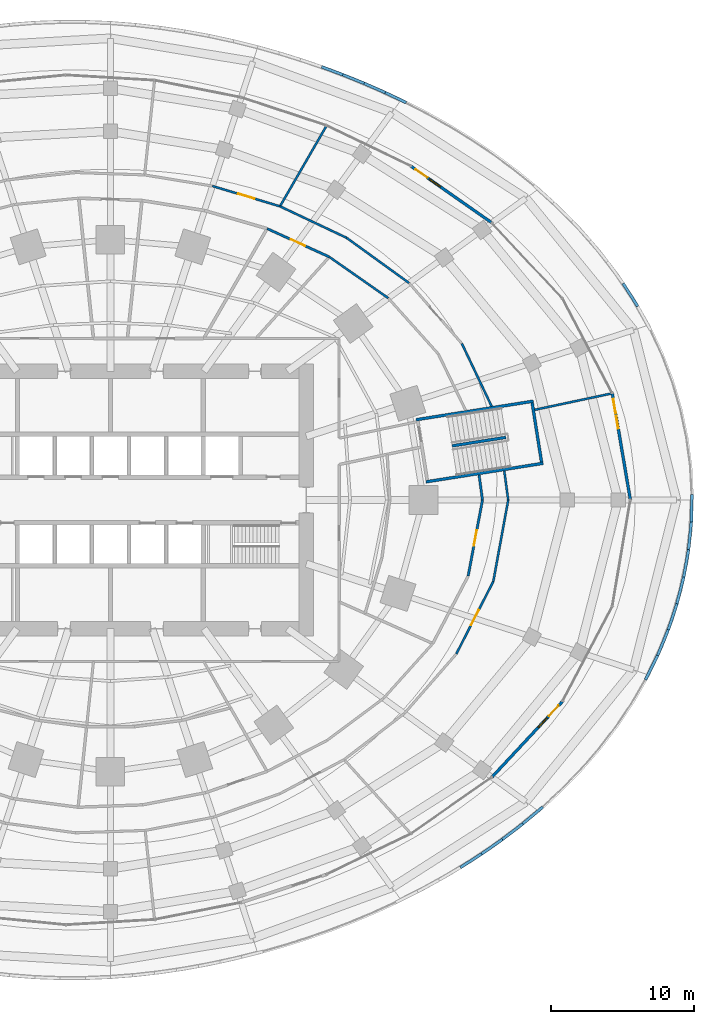
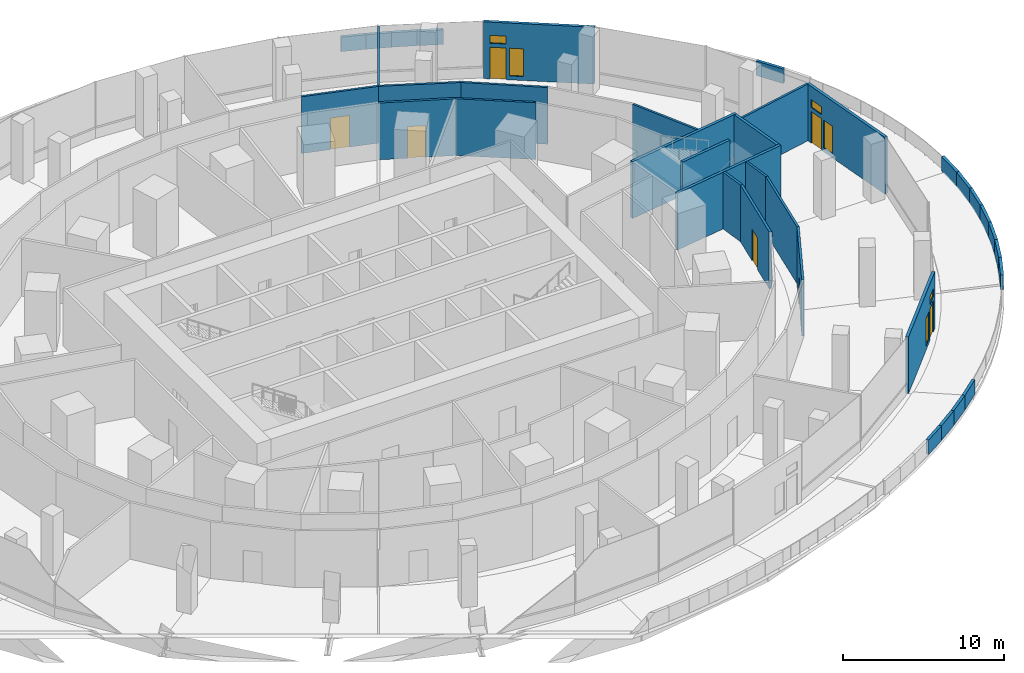
# One storey, part 23 of 27: 36 walls, 7 doors, 6 windows, 13 openings.
"""IFC4 building model written with IfcOpenShell, lengths in metres."""

from ifc_helpers import new_model, si_unit, direction, frame, frame_2d, origin, place, context, subcontext, project, spatial, rectangle, extrude, material, layer, layer_set, type_object, element, fill, save


model = new_model("IFC4")

# Units and contexts
model_context = context("Model", 3, precision=1e-05, world=origin(), true_north=direction((0.0, 1.0)))
body_context = subcontext(model_context, "Body", "Model", "MODEL_VIEW")
ifc_project = project(units=[si_unit("LENGTHUNIT", "METRE"), si_unit("AREAUNIT", "SQUARE_METRE"), si_unit("VOLUMEUNIT", "CUBIC_METRE"), si_unit("PLANEANGLEUNIT", "RADIAN"), si_unit("MASSUNIT", "GRAM", prefix="KILO")], contexts=[model_context])

# Site, building, storey
site_placement = place(None, origin())
site = spatial("IfcSite", under=ifc_project, at=site_placement, CompositionType="ELEMENT")
building_placement = place(site_placement, origin())
building = spatial("IfcBuilding", under=site, at=building_placement, Name="Marramba Exchange Tower", CompositionType="ELEMENT")
storey_placement = place(building_placement, frame((0.0, 0.0, 10.60009765625)))
storey = spatial("IfcBuildingStorey", under=building, at=storey_placement, Name="L02", CompositionType="ELEMENT", Elevation=10.60009765625)

# Wall, opening, door
ifc_material_1 = material(Name="Plasterboard on staggered double steel studs, acoustic insulation", Category="steel")
ifc_layer_1 = layer(ifc_material_1, 0.169921875)
ifc_layer_set_1 = layer_set([ifc_layer_1], Name="Acoustic partition 170")
wall_type_1 = type_object("IfcWallType", Name="Acoustic partition 170", PredefinedType="PARTITIONING", material=ifc_layer_set_1)
wall_1_placement = place(storey_placement, frame((26.02490234375, 0.0, 0.0), z_axis=(0.0, 0.0, 1.0), x_axis=(-0.185260746547, -0.982689399449, 0.0)))
wall_1 = element("IfcWall", 1, at=wall_1_placement, inside=storey, type_object=wall_type_1, Name="Acoustic partition L02 56", PredefinedType="PARTITIONING", context=body_context, shape_type="SweptSolid", body=[
    extrude(rectangle(XDim=5.412353515625, YDim=0.169921875, at=frame_2d((2.7060546875, 0.0))), origin(), (0.0, 0.0, 1.0), 4.2998046875),
])
opening_1_placement = place(wall_1_placement, frame((2.156005859375, 0.0, 0.0)))
opening_1 = element("IfcOpeningElement", 2, at=opening_1_placement, cuts=wall_1, Name="Opening D15", PredefinedType="OPENING", context=body_context, shape_type="SweptSolid", body=[
    extrude(rectangle(XDim=1.10009765625, YDim=2.39990234375, at=frame_2d((0.550048828125, 1.199951171875))), frame((0.0, 0.094970703125, 0.0), z_axis=(0.0, -1.0, 0.0), x_axis=(1.0, 0.0, 0.0)), (0.0, 0.0, 1.0), 0.18994140625),
])
ifc_material_2 = material(Name="Timber door", Category="wood")
door_type_1 = type_object("IfcDoorType", Name="Glazed meeting room door 1100x2400", OperationType="SINGLE_SWING_LEFT", PredefinedType="DOOR", material=ifc_material_2)
door_1_placement = place(opening_1_placement, origin())
door_1 = element("IfcDoor", 3, at=door_1_placement, inside=storey, type_object=door_type_1, Name="D15 Meeting Room 6 L02", OperationType="SINGLE_SWING_LEFT", OverallHeight=2.39990234375, OverallWidth=1.10009765625, PredefinedType="DOOR", context=body_context, shape_type="SweptSolid", body=[
    extrude(rectangle(XDim=1.10009765625, YDim=2.39990234375, at=frame_2d((0.550048828125, 1.199951171875))), frame((0.0, 0.02490234375, 0.0), z_axis=(0.0, -1.0, 0.0), x_axis=(1.0, 0.0, 0.0)), (0.0, 0.0, 1.0), 0.050048828125),
])
fill(opening_1, door_1)

# Wall
wall_2_placement = place(storey_placement, frame((25.78369140625, 1.755126953125, 0.0), z_axis=(0.0, 0.0, 1.0), x_axis=(0.136152406276, -0.990687903563, 0.0)))
element("IfcWall", 4, at=wall_2_placement, inside=storey, type_object=wall_type_1, Name="Acoustic partition L02 57", PredefinedType="PARTITIONING", context=body_context, shape_type="SweptSolid", body=[
    extrude(rectangle(XDim=1.771728515625, YDim=0.169921875, at=frame_2d((0.8857421875, 0.0))), origin(), (0.0, 0.0, 1.0), 4.2998046875),
])

# Wall, opening, door
wall_3_placement = place(storey_placement, frame((10.9599609375, 18.983154296875, 0.0), z_axis=(0.0, 0.0, 1.0), x_axis=(0.91025098655, -0.414056930246, 0.0)))
wall_3 = element("IfcWall", 5, at=wall_3_placement, inside=storey, type_object=wall_type_1, Name="Acoustic partition L02 73", PredefinedType="PARTITIONING", context=body_context, shape_type="SweptSolid", body=[
    extrude(rectangle(XDim=4.779541015625, YDim=0.169921875, at=frame_2d((2.3896484375, 0.0))), origin(), (0.0, 0.0, 1.0), 4.2998046875),
])
opening_2_placement = place(wall_3_placement, frame((1.81494140625, 0.0, 0.0)))
opening_2 = element("IfcOpeningElement", 6, at=opening_2_placement, cuts=wall_3, Name="Opening D15", PredefinedType="OPENING", context=body_context, shape_type="SweptSolid", body=[
    extrude(rectangle(XDim=1.10009765625, YDim=2.39990234375, at=frame_2d((0.550048828125, 1.199951171875))), frame((0.0, 0.094970703125, 0.0), z_axis=(0.0, -1.0, 0.0), x_axis=(1.0, 0.0, 0.0)), (0.0, 0.0, 1.0), 0.18994140625),
])
door_2_placement = place(opening_2_placement, frame((1.10009765625, 0.0, 0.0), z_axis=(0.0, 0.0, 1.0), x_axis=(-1.0, 0.0, 0.0)))
door_2 = element("IfcDoor", 7, at=door_2_placement, inside=storey, type_object=door_type_1, Name="D15 Meeting Room 1 L02", OperationType="SINGLE_SWING_LEFT", OverallHeight=2.39990234375, OverallWidth=1.10009765625, PredefinedType="DOOR", context=body_context, shape_type="SweptSolid", body=[
    extrude(rectangle(XDim=1.10009765625, YDim=2.39990234375, at=frame_2d((0.550048828125, 1.199951171875))), frame((0.0, 0.025146484375, 0.0), z_axis=(0.0, -1.0, 0.0), x_axis=(1.0, 0.0, 0.0)), (0.0, 0.0, 1.0), 0.050048828125),
])
fill(opening_2, door_2)

# Wall, openings, door, windows
ifc_material_3 = material(Name="Aluminium-framed bronze cladding on steel studs", Category="steel")
ifc_layer_2 = layer(ifc_material_3, 0.199951171875)
ifc_layer_set_2 = layer_set([ifc_layer_2], Name="Door screen wall 200")
wall_type_2 = type_object("IfcWallType", Name="Door screen wall 200", PredefinedType="SOLIDWALL", material=ifc_layer_set_2)
wall_4_placement = place(storey_placement, frame((36.3701171875, 0.0, 0.0), z_axis=(0.0, 0.0, 1.0), x_axis=(-0.167128957737, 0.985935044253, 0.0)))
wall_4 = element("IfcWall", 8, at=wall_4_placement, inside=storey, type_object=wall_type_2, Name="Door screen L02 F01", PredefinedType="SOLIDWALL", context=body_context, shape_type="SweptSolid", body=[
    extrude(rectangle(XDim=7.568359375, YDim=0.199951171875, at=frame_2d((3.7841796875, 0.0))), origin(), (0.0, 0.0, 1.0), 4.2998046875),
])
opening_3_placement = place(wall_4_placement, frame((6.168212890625, 0.0, 0.0)))
opening_3 = element("IfcOpeningElement", 9, at=opening_3_placement, cuts=wall_4, Name="Opening D6", PredefinedType="OPENING", context=body_context, shape_type="SweptSolid", body=[
    extrude(rectangle(XDim=1.0, YDim=2.39990234375, at=frame_2d((0.5, 1.199951171875))), frame((0.0, 0.10986328125, 0.0), z_axis=(0.0, -1.0, 0.0), x_axis=(1.0, 0.0, 0.0)), (0.0, 0.0, 1.0), 0.219970703125),
])
opening_4_placement = place(wall_4_placement, frame((5.068359375, 0.0, 0.300048828125)))
opening_4 = element("IfcOpeningElement", 10, at=opening_4_placement, cuts=wall_4, Name="Opening W4", PredefinedType="OPENING", context=body_context, shape_type="SweptSolid", body=[
    extrude(rectangle(XDim=0.89990234375, YDim=2.10009765625, at=frame_2d((0.449951171875, 1.050048828125))), frame((0.0, 0.10986328125, 0.0), z_axis=(0.0, -1.0, 0.0), x_axis=(1.0, 0.0, 0.0)), (0.0, 0.0, 1.0), 0.219970703125),
])
opening_5_placement = place(wall_4_placement, frame((6.168212890625, 0.0, 2.699951171875)))
opening_5 = element("IfcOpeningElement", 11, at=opening_5_placement, cuts=wall_4, Name="Opening W5", PredefinedType="OPENING", context=body_context, shape_type="SweptSolid", body=[
    extrude(rectangle(XDim=1.0, YDim=0.60009765625, at=frame_2d((0.5, 0.300048828125))), frame((0.0, 0.10986328125, 0.0), z_axis=(0.0, -1.0, 0.0), x_axis=(1.0, 0.0, 0.0)), (0.0, 0.0, 1.0), 0.219970703125),
])
ifc_material_4 = material(Name="Aluminium-framed glazed door, bronze", Category="aluminium")
door_type_2 = type_object("IfcDoorType", Name="Terrace door 1000x2400", OperationType="SINGLE_SWING_LEFT", PredefinedType="DOOR", material=ifc_material_4)
door_3_placement = place(opening_3_placement, frame((1.0, 0.0, 0.0), z_axis=(0.0, 0.0, 1.0), x_axis=(-1.0, 0.0, 0.0)))
door_3 = element("IfcDoor", 12, at=door_3_placement, inside=storey, type_object=door_type_2, Name="D6 L02", OperationType="SINGLE_SWING_RIGHT", OverallHeight=2.39990234375, OverallWidth=1.0, PredefinedType="DOOR", context=body_context, shape_type="SweptSolid", body=[
    extrude(rectangle(XDim=1.0, YDim=2.39990234375, at=frame_2d((0.5, 1.199951171875))), frame((0.0, 0.025146484375, 0.0), z_axis=(0.0, -1.0, 0.0), x_axis=(1.0, 0.0, 0.0)), (0.0, 0.0, 1.0), 0.050048828125),
])
fill(opening_3, door_3)
ifc_material_5 = material(Name="Aluminium-framed fixed light, bronze, double glazed", Category="aluminium")
window_type_1 = type_object("IfcWindowType", Name="Terrace sidelight 900x2100", PartitioningType="SINGLE_PANEL", PredefinedType="WINDOW", material=ifc_material_5)
window_1_placement = place(opening_4_placement, origin())
window_1 = element("IfcWindow", 13, at=window_1_placement, inside=storey, type_object=window_type_1, Name="W4 L02 F01 left", OverallHeight=2.10009765625, OverallWidth=0.89990234375, PartitioningType="SINGLE_PANEL", PredefinedType="WINDOW", context=body_context, shape_type="SweptSolid", body=[
    extrude(rectangle(XDim=0.89990234375, YDim=2.10009765625, at=frame_2d((0.449951171875, 1.050048828125))), frame((0.0, 0.030029296875, 0.0), z_axis=(0.0, -1.0, 0.0), x_axis=(1.0, 0.0, 0.0)), (0.0, 0.0, 1.0), 0.06005859375),
])
fill(opening_4, window_1)
window_type_2 = type_object("IfcWindowType", Name="Terrace transom light 1000x600", PartitioningType="SINGLE_PANEL", PredefinedType="WINDOW", material=ifc_material_5)
window_2_placement = place(opening_5_placement, origin())
window_2 = element("IfcWindow", 14, at=window_2_placement, inside=storey, type_object=window_type_2, Name="W5 L02 F01 over the door", OverallHeight=0.60009765625, OverallWidth=1.0, PartitioningType="SINGLE_PANEL", PredefinedType="WINDOW", context=body_context, shape_type="SweptSolid", body=[
    extrude(rectangle(XDim=1.0, YDim=0.60009765625, at=frame_2d((0.5, 0.300048828125))), frame((0.0, 0.030029296875, 0.0), z_axis=(0.0, -1.0, 0.0), x_axis=(1.0, 0.0, 0.0)), (0.0, 0.0, 1.0), 0.06005859375),
])
fill(opening_5, window_2)

wall_5_placement = place(storey_placement, frame((26.68408203125, 19.38720703125, 0.0), z_axis=(0.0, 0.0, 1.0), x_axis=(-0.81941448175, 0.573201454202, 0.0)))
wall_5 = element("IfcWall", 15, at=wall_5_placement, inside=storey, type_object=wall_type_2, Name="Door screen L02 F04", PredefinedType="SOLIDWALL", context=body_context, shape_type="SweptSolid", body=[
    extrude(rectangle(XDim=6.909423828125, YDim=0.199951171875, at=frame_2d((3.45458984375, 0.0))), origin(), (0.0, 0.0, 1.0), 4.2998046875),
])
opening_6_placement = place(wall_5_placement, frame((5.509521484375, 0.0, 0.0)))
opening_6 = element("IfcOpeningElement", 16, at=opening_6_placement, cuts=wall_5, Name="Opening D6", PredefinedType="OPENING", context=body_context, shape_type="SweptSolid", body=[
    extrude(rectangle(XDim=1.0, YDim=2.39990234375, at=frame_2d((0.5, 1.199951171875))), frame((0.0, 0.10986328125, 0.0), z_axis=(0.0, -1.0, 0.0), x_axis=(1.0, 0.0, 0.0)), (0.0, 0.0, 1.0), 0.219970703125),
])
opening_7_placement = place(wall_5_placement, frame((4.409423828125, 0.0, 0.300048828125)))
opening_7 = element("IfcOpeningElement", 17, at=opening_7_placement, cuts=wall_5, Name="Opening W4", PredefinedType="OPENING", context=body_context, shape_type="SweptSolid", body=[
    extrude(rectangle(XDim=0.89990234375, YDim=2.10009765625, at=frame_2d((0.449951171875, 1.050048828125))), frame((0.0, 0.10986328125, 0.0), z_axis=(0.0, -1.0, 0.0), x_axis=(1.0, 0.0, 0.0)), (0.0, 0.0, 1.0), 0.219970703125),
])
opening_8_placement = place(wall_5_placement, frame((5.509521484375, 0.0, 2.699951171875)))
opening_8 = element("IfcOpeningElement", 18, at=opening_8_placement, cuts=wall_5, Name="Opening W5", PredefinedType="OPENING", context=body_context, shape_type="SweptSolid", body=[
    extrude(rectangle(XDim=1.0, YDim=0.60009765625, at=frame_2d((0.5, 0.300048828125))), frame((0.0, 0.10986328125, 0.0), z_axis=(0.0, -1.0, 0.0), x_axis=(1.0, 0.0, 0.0)), (0.0, 0.0, 1.0), 0.219970703125),
])
door_4_placement = place(opening_6_placement, frame((1.0, 0.0, 0.0), z_axis=(0.0, 0.0, 1.0), x_axis=(-1.0, 0.0, 0.0)))
door_4 = element("IfcDoor", 19, at=door_4_placement, inside=storey, type_object=door_type_2, Name="D6 L02", OperationType="SINGLE_SWING_RIGHT", OverallHeight=2.39990234375, OverallWidth=1.0, PredefinedType="DOOR", context=body_context, shape_type="SweptSolid", body=[
    extrude(rectangle(XDim=1.0, YDim=2.39990234375, at=frame_2d((0.5, 1.199951171875))), frame((0.0, 0.025146484375, 0.0), z_axis=(0.0, -1.0, 0.0), x_axis=(1.0, 0.0, 0.0)), (0.0, 0.0, 1.0), 0.050048828125),
])
fill(opening_6, door_4)
window_3_placement = place(opening_7_placement, origin())
window_3 = element("IfcWindow", 20, at=window_3_placement, inside=storey, type_object=window_type_1, Name="W4 L02 F04 left", OverallHeight=2.10009765625, OverallWidth=0.89990234375, PartitioningType="SINGLE_PANEL", PredefinedType="WINDOW", context=body_context, shape_type="SweptSolid", body=[
    extrude(rectangle(XDim=0.89990234375, YDim=2.10009765625, at=frame_2d((0.449951171875, 1.050048828125))), frame((0.0, 0.030029296875, 0.0), z_axis=(0.0, -1.0, 0.0), x_axis=(1.0, 0.0, 0.0)), (0.0, 0.0, 1.0), 0.06005859375),
])
fill(opening_7, window_3)
window_4_placement = place(opening_8_placement, origin())
window_4 = element("IfcWindow", 21, at=window_4_placement, inside=storey, type_object=window_type_2, Name="W5 L02 F04 over the door", OverallHeight=0.60009765625, OverallWidth=1.0, PartitioningType="SINGLE_PANEL", PredefinedType="WINDOW", context=body_context, shape_type="SweptSolid", body=[
    extrude(rectangle(XDim=1.0, YDim=0.60009765625, at=frame_2d((0.5, 0.300048828125))), frame((0.0, 0.030029296875, 0.0), z_axis=(0.0, -1.0, 0.0), x_axis=(1.0, 0.0, 0.0)), (0.0, 0.0, 1.0), 0.06005859375),
])
fill(opening_8, window_4)

wall_6_placement = place(storey_placement, frame((26.68408203125, -19.38720703125, 0.0), z_axis=(0.0, 0.0, 1.0), x_axis=(0.681826332835, 0.731514081787, 0.0)))
wall_6 = element("IfcWall", 22, at=wall_6_placement, inside=storey, type_object=wall_type_2, Name="Door screen L02 F28", PredefinedType="SOLIDWALL", context=body_context, shape_type="SweptSolid", body=[
    extrude(rectangle(XDim=7.25244140625, YDim=0.199951171875, at=frame_2d((3.626220703125, 0.0))), origin(), (0.0, 0.0, 1.0), 4.2998046875),
])
opening_9_placement = place(wall_6_placement, frame((5.85205078125, 0.0, 0.0)))
opening_9 = element("IfcOpeningElement", 23, at=opening_9_placement, cuts=wall_6, Name="Opening D6", PredefinedType="OPENING", context=body_context, shape_type="SweptSolid", body=[
    extrude(rectangle(XDim=1.0, YDim=2.39990234375, at=frame_2d((0.5, 1.199951171875))), frame((0.0, 0.10986328125, 0.0), z_axis=(0.0, -1.0, 0.0), x_axis=(1.0, 0.0, 0.0)), (0.0, 0.0, 1.0), 0.219970703125),
])
opening_10_placement = place(wall_6_placement, frame((4.752197265625, 0.0, 0.300048828125)))
opening_10 = element("IfcOpeningElement", 24, at=opening_10_placement, cuts=wall_6, Name="Opening W4", PredefinedType="OPENING", context=body_context, shape_type="SweptSolid", body=[
    extrude(rectangle(XDim=0.89990234375, YDim=2.10009765625, at=frame_2d((0.449951171875, 1.050048828125))), frame((0.0, 0.10986328125, 0.0), z_axis=(0.0, -1.0, 0.0), x_axis=(1.0, 0.0, 0.0)), (0.0, 0.0, 1.0), 0.219970703125),
])
opening_11_placement = place(wall_6_placement, frame((5.85205078125, 0.0, 2.699951171875)))
opening_11 = element("IfcOpeningElement", 25, at=opening_11_placement, cuts=wall_6, Name="Opening W5", PredefinedType="OPENING", context=body_context, shape_type="SweptSolid", body=[
    extrude(rectangle(XDim=1.0, YDim=0.60009765625, at=frame_2d((0.5, 0.300048828125))), frame((0.0, 0.10986328125, 0.0), z_axis=(0.0, -1.0, 0.0), x_axis=(1.0, 0.0, 0.0)), (0.0, 0.0, 1.0), 0.219970703125),
])
door_5_placement = place(opening_9_placement, frame((1.0, 0.0, 0.0), z_axis=(0.0, 0.0, 1.0), x_axis=(-1.0, 0.0, 0.0)))
door_5 = element("IfcDoor", 26, at=door_5_placement, inside=storey, type_object=door_type_2, Name="D6 L02", OperationType="SINGLE_SWING_RIGHT", OverallHeight=2.39990234375, OverallWidth=1.0, PredefinedType="DOOR", context=body_context, shape_type="SweptSolid", body=[
    extrude(rectangle(XDim=1.0, YDim=2.39990234375, at=frame_2d((0.5, 1.199951171875))), frame((0.0, 0.025146484375, 0.0), z_axis=(0.0, -1.0, 0.0), x_axis=(1.0, 0.0, 0.0)), (0.0, 0.0, 1.0), 0.050048828125),
])
fill(opening_9, door_5)
window_5_placement = place(opening_10_placement, origin())
window_5 = element("IfcWindow", 27, at=window_5_placement, inside=storey, type_object=window_type_1, Name="W4 L02 F28 left", OverallHeight=2.10009765625, OverallWidth=0.89990234375, PartitioningType="SINGLE_PANEL", PredefinedType="WINDOW", context=body_context, shape_type="SweptSolid", body=[
    extrude(rectangle(XDim=0.89990234375, YDim=2.10009765625, at=frame_2d((0.449951171875, 1.050048828125))), frame((0.0, 0.030029296875, 0.0), z_axis=(0.0, -1.0, 0.0), x_axis=(1.0, 0.0, 0.0)), (0.0, 0.0, 1.0), 0.06005859375),
])
fill(opening_10, window_5)
window_6_placement = place(opening_11_placement, origin())
window_6 = element("IfcWindow", 28, at=window_6_placement, inside=storey, type_object=window_type_2, Name="W5 L02 F28 over the door", OverallHeight=0.60009765625, OverallWidth=1.0, PartitioningType="SINGLE_PANEL", PredefinedType="WINDOW", context=body_context, shape_type="SweptSolid", body=[
    extrude(rectangle(XDim=1.0, YDim=0.60009765625, at=frame_2d((0.5, 0.300048828125))), frame((0.0, 0.030029296875, 0.0), z_axis=(0.0, -1.0, 0.0), x_axis=(1.0, 0.0, 0.0)), (0.0, 0.0, 1.0), 0.06005859375),
])
fill(opening_11, window_6)

# Walls
ifc_material_6 = material(Name="Concrete N40", Category="concrete")
ifc_layer_3 = layer(ifc_material_6, 0.199951171875)
ifc_layer_set_3 = layer_set([ifc_layer_3], Name="Roof parapet 200")
wall_type_3 = type_object("IfcWallType", Name="Roof parapet 200", PredefinedType="PARAPET", material=ifc_layer_set_3)
wall_7_placement = place(storey_placement, frame((36.88134765625, 13.543701171875, 0.0), z_axis=(0.0, 0.0, 1.0), x_axis=(-0.535606646931, 0.844467595449, 0.0)))
element("IfcWall", 29, at=wall_7_placement, inside=storey, type_object=wall_type_3, Name="Parapet L02 bay 02", PredefinedType="PARAPET", context=body_context, shape_type="SweptSolid", body=[
    extrude(rectangle(XDim=1.90576171875, YDim=0.199951171875, at=frame_2d((0.952880859375, 0.0))), origin(), (0.0, 0.0, 1.0), 1.099853515625),
])
wall_8_placement = place(storey_placement, frame((20.6904296875, 27.79833984375, 0.0), z_axis=(0.0, 0.0, 1.0), x_axis=(-0.902860518824, 0.429933580392, 0.0)))
element("IfcWall", 30, at=wall_8_placement, inside=storey, type_object=wall_type_3, Name="Parapet L02 bay 04", PredefinedType="PARAPET", context=body_context, shape_type="SweptSolid", body=[
    extrude(rectangle(XDim=1.629638671875, YDim=0.199951171875, at=frame_2d((0.81494140625, 0.0))), origin(), (0.0, 0.0, 1.0), 1.099853515625),
])
wall_9_placement = place(storey_placement, frame((19.218994140625, 28.4990234375, 0.0), z_axis=(0.0, 0.0, 1.0), x_axis=(-0.915569278609, 0.402160286537, 0.0)))
element("IfcWall", 31, at=wall_9_placement, inside=storey, type_object=wall_type_3, Name="Parapet L02 bay 04", PredefinedType="PARAPET", context=body_context, shape_type="SweptSolid", body=[
    extrude(rectangle(XDim=1.613037109375, YDim=0.199951171875, at=frame_2d((0.806640625, 0.0))), origin(), (0.0, 0.0, 1.0), 1.099853515625),
])
wall_10_placement = place(storey_placement, frame((17.7421875, 29.147705078125, 0.0), z_axis=(0.0, 0.0, 1.0), x_axis=(-0.9270897295, 0.374839476918, 0.0)))
element("IfcWall", 32, at=wall_10_placement, inside=storey, type_object=wall_type_3, Name="Parapet L02 bay 04", PredefinedType="PARAPET", context=body_context, shape_type="SweptSolid", body=[
    extrude(rectangle(XDim=1.59765625, YDim=0.199951171875, at=frame_2d((0.798828125, 0.0))), origin(), (0.0, 0.0, 1.0), 1.099853515625),
])
wall_11_placement = place(storey_placement, frame((16.260986328125, 29.74658203125, 0.0), z_axis=(0.0, 0.0, 1.0), x_axis=(-0.93734477398, 0.348403178361, 0.0)))
element("IfcWall", 33, at=wall_11_placement, inside=storey, type_object=wall_type_3, Name="Parapet L02 bay 04", PredefinedType="PARAPET", context=body_context, shape_type="SweptSolid", body=[
    extrude(rectangle(XDim=1.58447265625, YDim=0.199951171875, at=frame_2d((0.792236328125, 0.0))), origin(), (0.0, 0.0, 1.0), 1.099853515625),
])
wall_12_placement = place(storey_placement, frame((24.4814453125, -25.70654296875, 0.0), z_axis=(0.0, 0.0, 1.0), x_axis=(0.842238569546, 0.539104991601, 0.0)))
element("IfcWall", 34, at=wall_12_placement, inside=storey, type_object=wall_type_3, Name="Parapet L02 bay 18", PredefinedType="PARAPET", context=body_context, shape_type="SweptSolid", body=[
    extrude(rectangle(XDim=1.755859375, YDim=0.199951171875, at=frame_2d((0.8779296875, 0.0))), origin(), (0.0, 0.0, 1.0), 1.099853515625),
])
wall_13_placement = place(storey_placement, frame((25.960205078125, -24.760009765625, 0.0), z_axis=(0.0, 0.0, 1.0), x_axis=(0.819657547266, 0.572853825343, 0.0)))
element("IfcWall", 35, at=wall_13_placement, inside=storey, type_object=wall_type_3, Name="Parapet L02 bay 18", PredefinedType="PARAPET", context=body_context, shape_type="SweptSolid", body=[
    extrude(rectangle(XDim=1.777587890625, YDim=0.199951171875, at=frame_2d((0.888671875, 0.0))), origin(), (0.0, 0.0, 1.0), 1.099853515625),
])
wall_14_placement = place(storey_placement, frame((27.417236328125, -23.74169921875, 0.0), z_axis=(0.0, 0.0, 1.0), x_axis=(0.79419992188, 0.607656551093, 0.0)))
element("IfcWall", 36, at=wall_14_placement, inside=storey, type_object=wall_type_3, Name="Parapet L02 bay 18", PredefinedType="PARAPET", context=body_context, shape_type="SweptSolid", body=[
    extrude(rectangle(XDim=1.799560546875, YDim=0.199951171875, at=frame_2d((0.89990234375, 0.0))), origin(), (0.0, 0.0, 1.0), 1.099853515625),
])
wall_15_placement = place(storey_placement, frame((28.846435546875, -22.648193359375, 0.0), z_axis=(0.0, 0.0, 1.0), x_axis=(0.765422131785, 0.643528523202, 0.0)))
element("IfcWall", 37, at=wall_15_placement, inside=storey, type_object=wall_type_3, Name="Parapet L02 bay 18", PredefinedType="PARAPET", context=body_context, shape_type="SweptSolid", body=[
    extrude(rectangle(XDim=1.820556640625, YDim=0.199951171875, at=frame_2d((0.91015625, 0.0))), origin(), (0.0, 0.0, 1.0), 1.099853515625),
])
wall_16_placement = place(storey_placement, frame((37.426513671875, -12.5791015625, 0.0), z_axis=(0.0, 0.0, 1.0), x_axis=(0.445531074881, 0.895266475032, 0.0)))
element("IfcWall", 38, at=wall_16_placement, inside=storey, type_object=wall_type_3, Name="Parapet L02 bay 20", PredefinedType="PARAPET", context=body_context, shape_type="SweptSolid", body=[
    extrude(rectangle(XDim=1.916259765625, YDim=0.199951171875, at=frame_2d((0.9580078125, 0.0))), origin(), (0.0, 0.0, 1.0), 1.099853515625),
])
wall_17_placement = place(storey_placement, frame((38.2802734375, -10.863525390625, 0.0), z_axis=(0.0, 0.0, 1.0), x_axis=(0.382956922629, 0.923766201704, 0.0)))
element("IfcWall", 39, at=wall_17_placement, inside=storey, type_object=wall_type_3, Name="Parapet L02 bay 20", PredefinedType="PARAPET", context=body_context, shape_type="SweptSolid", body=[
    extrude(rectangle(XDim=1.924072265625, YDim=0.199951171875, at=frame_2d((0.9619140625, 0.0))), origin(), (0.0, 0.0, 1.0), 1.099853515625),
])
wall_18_placement = place(storey_placement, frame((39.01708984375, -9.086181640625, 0.0), z_axis=(0.0, 0.0, 1.0), x_axis=(0.316607214007, 0.94855673106, 0.0)))
element("IfcWall", 40, at=wall_18_placement, inside=storey, type_object=wall_type_3, Name="Parapet L02 bay 20", PredefinedType="PARAPET", context=body_context, shape_type="SweptSolid", body=[
    extrude(rectangle(XDim=1.93017578125, YDim=0.199951171875, at=frame_2d((0.965087890625, 0.0))), origin(), (0.0, 0.0, 1.0), 1.099853515625),
])
wall_19_placement = place(storey_placement, frame((39.628173828125, -7.25537109375, 0.0), z_axis=(0.0, 0.0, 1.0), x_axis=(0.246453021526, 0.969154739028, 0.0)))
element("IfcWall", 41, at=wall_19_placement, inside=storey, type_object=wall_type_3, Name="Parapet L02 bay 20", PredefinedType="PARAPET", context=body_context, shape_type="SweptSolid", body=[
    extrude(rectangle(XDim=1.9345703125, YDim=0.199951171875, at=frame_2d((0.96728515625, 0.0))), origin(), (0.0, 0.0, 1.0), 1.099853515625),
])
wall_20_placement = place(storey_placement, frame((40.10498046875, -5.38037109375, 0.0), z_axis=(0.0, 0.0, 1.0), x_axis=(0.173727838915, 0.984793703263, 0.0)))
element("IfcWall", 42, at=wall_20_placement, inside=storey, type_object=wall_type_3, Name="Parapet L02 bay 20", PredefinedType="PARAPET", context=body_context, shape_type="SweptSolid", body=[
    extrude(rectangle(XDim=1.93798828125, YDim=0.199951171875, at=frame_2d((0.968994140625, 0.0))), origin(), (0.0, 0.0, 1.0), 1.099853515625),
])
wall_21_placement = place(storey_placement, frame((40.441650390625, -3.471923828125, 0.0), z_axis=(0.0, 0.0, 1.0), x_axis=(0.098668817011, 0.995120326669, 0.0)))
element("IfcWall", 43, at=wall_21_placement, inside=storey, type_object=wall_type_3, Name="Parapet L02 bay 20", PredefinedType="PARAPET", context=body_context, shape_type="SweptSolid", body=[
    extrude(rectangle(XDim=1.93994140625, YDim=0.199951171875, at=frame_2d((0.969970703125, 0.0))), origin(), (0.0, 0.0, 1.0), 1.099853515625),
])
wall_22_placement = place(storey_placement, frame((40.633056640625, -1.54150390625, 0.0), z_axis=(0.0, 0.0, 1.0), x_axis=(0.02251567963, 0.999746489952, 0.0)))
element("IfcWall", 44, at=wall_22_placement, inside=storey, type_object=wall_type_3, Name="Parapet L02 bay 20", PredefinedType="PARAPET", context=body_context, shape_type="SweptSolid", body=[
    extrude(rectangle(XDim=1.94091796875, YDim=0.199951171875, at=frame_2d((0.970458984375, 0.0))), origin(), (0.0, 0.0, 1.0), 1.099853515625),
])
ifc_layer_4 = layer(ifc_material_6, 0.199951171875)
ifc_layer_set_4 = layer_set([ifc_layer_4], Name="Stair core wall 200 N40")
wall_type_4 = type_object("IfcWallType", Name="Stair core wall 200 N40", PredefinedType="SOLIDWALL", material=ifc_layer_set_4)
for number, where, z_axis, x_axis, name in (
    (45, (22.0732421875, 1.2685546875, 0.0), (0.0, 0.0, 1.0), (0.987684853285, 0.156456481465, 0.0), "Stair shaft wall ST4 L02 S"),
    (46, (21.385009765625, 5.614501953125, 0.0), (0.0, 0.0, 1.0), (0.987689398324, 0.156427786655, 0.0), "Stair shaft wall ST4 L02 N"),
):
    element("IfcWall", number, at=place(storey_placement, frame(where, z_axis=z_axis, x_axis=x_axis)), inside=storey, type_object=wall_type_4, Name=name, PredefinedType="SOLIDWALL", context=body_context, shape_type="SweptSolid", body=[
        extrude(rectangle(XDim=8.300048828125, YDim=0.199951171875, at=frame_2d((4.14990234375, 0.0))), origin(), (0.0, 0.0, 1.0), 4.2998046875),
    ])
wall_23_placement = place(storey_placement, frame((30.15673828125, 2.650146484375, 0.0), z_axis=(0.0, 0.0, 1.0), x_axis=(-0.156419245009, 0.987690751091, 0.0)))
element("IfcWall", 47, at=wall_23_placement, inside=storey, type_object=wall_type_4, Name="Stair shaft wall ST4 L02 E", PredefinedType="SOLIDWALL", context=body_context, shape_type="SweptSolid", body=[
    extrude(rectangle(XDim=4.2001953125, YDim=0.199951171875, at=frame_2d((2.10009765625, 0.0))), origin(), (0.0, 0.0, 1.0), 4.2998046875),
])
ifc_material_7 = material(Name="Core-filled concrete blockwork, rendered", Category="masonry")
ifc_layer_5 = layer(ifc_material_7, 0.199951171875)
ifc_layer_set_5 = layer_set([ifc_layer_5], Name="Stair shaft wall 200")
wall_type_5 = type_object("IfcWallType", Name="Stair shaft wall 200", PredefinedType="SOLIDWALL", material=ifc_layer_set_5)
wall_24_placement = place(storey_placement, frame((23.902099609375, 3.78564453125, 0.0), z_axis=(0.0, 0.0, 1.0), x_axis=(0.987682173263, 0.156473399078, 0.0)))
element("IfcWall", 48, at=wall_24_placement, inside=storey, type_object=wall_type_5, Name="Stair spine wall ST4 L02", PredefinedType="SOLIDWALL", context=body_context, shape_type="SweptSolid", body=[
    extrude(rectangle(XDim=3.803955078125, YDim=0.199951171875, at=frame_2d((1.90185546875, 0.0))), origin(), (0.0, 0.0, 1.0), 4.5),
])

# Wall, opening, door
ifc_material_8 = material(Name="Fire-rated plasterboard on steel studs, acoustic insulation", Category="steel")
ifc_layer_6 = layer(ifc_material_8, 0.14990234375)
ifc_layer_set_6 = layer_set([ifc_layer_6], Name="Tenancy wall 150")
wall_type_6 = type_object("IfcWallType", Name="Tenancy wall 150", PredefinedType="PARTITIONING", material=ifc_layer_set_6)
wall_25_placement = place(storey_placement, frame((24.19189453125, -10.77099609375, 0.0), z_axis=(0.0, 0.0, 1.0), x_axis=(0.454462020031, 0.890766115402, 0.0)))
wall_25 = element("IfcWall", 49, at=wall_25_placement, inside=storey, type_object=wall_type_6, Name="Tenancy wall L02 51", PredefinedType="PARTITIONING", context=body_context, shape_type="SweptSolid", body=[
    extrude(rectangle(XDim=5.700927734375, YDim=0.14990234375, at=frame_2d((2.8505859375, 0.0))), origin(), (0.0, 0.0, 1.0), 4.2998046875),
])
opening_12_placement = place(wall_25_placement, frame((2.25, 0.0, 0.0)))
opening_12 = element("IfcOpeningElement", 50, at=opening_12_placement, cuts=wall_25, Name="Opening D13", PredefinedType="OPENING", context=body_context, shape_type="SweptSolid", body=[
    extrude(rectangle(XDim=1.199951171875, YDim=2.39990234375, at=frame_2d((0.60009765625, 1.199951171875))), frame((0.0, 0.0849609375, 0.0), z_axis=(0.0, -1.0, 0.0), x_axis=(1.0, 0.0, 0.0)), (0.0, 0.0, 1.0), 0.169921875),
])
ifc_material_9 = material(Name="Steel-framed door", Category="steel")
door_type_3 = type_object("IfcDoorType", Name="Tenancy entry door 1200x2400", OperationType="SINGLE_SWING_LEFT", PredefinedType="DOOR", material=ifc_material_9)
door_6_placement = place(opening_12_placement, origin())
door_6 = element("IfcDoor", 51, at=door_6_placement, inside=storey, type_object=door_type_3, Name="D13 Market Operations Office L02", OperationType="SINGLE_SWING_RIGHT", OverallHeight=2.39990234375, OverallWidth=1.199951171875, PredefinedType="DOOR", context=body_context, shape_type="SweptSolid", body=[
    extrude(rectangle(XDim=1.199951171875, YDim=2.39990234375, at=frame_2d((0.60009765625, 1.199951171875))), frame((0.0, 0.02490234375, 0.0), z_axis=(0.0, -1.0, 0.0), x_axis=(1.0, 0.0, 0.0)), (0.0, 0.0, 1.0), 0.050048828125),
])
fill(opening_12, door_6)

# Walls
wall_26_placement = place(storey_placement, frame((26.78271484375, -5.69287109375, 0.0), z_axis=(0.0, 0.0, 1.0), x_axis=(0.180084349052, 0.983651171517, 0.0)))
element("IfcWall", 52, at=wall_26_placement, inside=storey, type_object=wall_type_6, Name="Tenancy wall L02 55", PredefinedType="PARTITIONING", context=body_context, shape_type="SweptSolid", body=[
    extrude(rectangle(XDim=5.78759765625, YDim=0.14990234375, at=frame_2d((2.893798828125, 0.0))), origin(), (0.0, 0.0, 1.0), 4.2998046875),
])
wall_27_placement = place(storey_placement, frame((27.824951171875, 0.0, 0.0), z_axis=(0.0, 0.0, 1.0), x_axis=(-0.134242956439, 0.990948449036, 0.0)))
element("IfcWall", 53, at=wall_27_placement, inside=storey, type_object=wall_type_6, Name="Tenancy wall L02 58", PredefinedType="PARTITIONING", context=body_context, shape_type="SweptSolid", body=[
    extrude(rectangle(XDim=2.05322265625, YDim=0.14990234375, at=frame_2d((1.026611328125, 0.0))), origin(), (0.0, 0.0, 1.0), 4.2998046875),
])
wall_28_placement = place(storey_placement, frame((29.6787109375, 6.308349609375, 0.0), z_axis=(0.0, 0.0, 1.0), x_axis=(0.97814284779, 0.207934050402, 0.0)))
element("IfcWall", 54, at=wall_28_placement, inside=storey, type_object=wall_type_6, Name="Tenancy wall L02 61", PredefinedType="PARTITIONING", context=body_context, shape_type="SweptSolid", body=[
    extrude(rectangle(XDim=5.468017578125, YDim=0.14990234375, at=frame_2d((2.73388671875, 0.0))), origin(), (0.0, 0.0, 1.0), 4.2998046875),
])
wall_29_placement = place(storey_placement, frame((26.66552734375, 6.552001953125, 0.0), z_axis=(0.0, 0.0, 1.0), x_axis=(-0.428597870995, 0.903495359688, 0.0)))
element("IfcWall", 55, at=wall_29_placement, inside=storey, type_object=wall_type_6, Name="Tenancy wall L02 63", PredefinedType="PARTITIONING", context=body_context, shape_type="SweptSolid", body=[
    extrude(rectangle(XDim=4.86181640625, YDim=0.14990234375, at=frame_2d((2.430908203125, 0.0))), origin(), (0.0, 0.0, 1.0), 4.2998046875),
])
wall_30_placement = place(storey_placement, frame((15.310546875, 17.004150390625, 0.0), z_axis=(0.0, 0.0, 1.0), x_axis=(0.819662413359, -0.572846862719, 0.0)))
element("IfcWall", 56, at=wall_30_placement, inside=storey, type_object=wall_type_6, Name="Tenancy wall L02 69", PredefinedType="PARTITIONING", context=body_context, shape_type="SweptSolid", body=[
    extrude(rectangle(XDim=5.032958984375, YDim=0.14990234375, at=frame_2d((2.5166015625, 0.0))), origin(), (0.0, 0.0, 1.0), 4.2998046875),
])
wall_31_placement = place(storey_placement, frame((20.89208984375, 15.178955078125, 0.0), z_axis=(0.0, 0.0, 1.0), x_axis=(-0.810528990045, 0.585698519971, 0.0)))
element("IfcWall", 57, at=wall_31_placement, inside=storey, type_object=wall_type_6, Name="Tenancy wall L02 70", PredefinedType="PARTITIONING", context=body_context, shape_type="SweptSolid", body=[
    extrude(rectangle(XDim=5.400146484375, YDim=0.14990234375, at=frame_2d((2.7001953125, 0.0))), origin(), (0.0, 0.0, 1.0), 4.2998046875),
])
wall_32_placement = place(storey_placement, frame((16.51513671875, 18.341796875, 0.0), z_axis=(0.0, 0.0, 1.0), x_axis=(-0.904108237681, 0.427303515732, 0.0)))
element("IfcWall", 58, at=wall_32_placement, inside=storey, type_object=wall_type_6, Name="Tenancy wall L02 74", PredefinedType="PARTITIONING", context=body_context, shape_type="SweptSolid", body=[
    extrude(rectangle(XDim=5.14892578125, YDim=0.14990234375, at=frame_2d((2.574462890625, 0.0))), origin(), (0.0, 0.0, 1.0), 4.2998046875),
])
wall_33_placement = place(storey_placement, frame((11.85986328125, 20.5419921875, 0.0), z_axis=(0.0, 0.0, 1.0), x_axis=(0.500015529916, 0.866016437397, 0.0)))
element("IfcWall", 59, at=wall_33_placement, inside=storey, type_object=wall_type_6, Name="Tenancy wall L02 76", PredefinedType="PARTITIONING", context=body_context, shape_type="SweptSolid", body=[
    extrude(rectangle(XDim=6.441650390625, YDim=0.14990234375, at=frame_2d((3.220703125, 0.0))), origin(), (0.0, 0.0, 1.0), 4.2998046875),
])

# Wall, opening, door
wall_34_placement = place(storey_placement, frame((11.85986328125, 20.5419921875, 0.0), z_axis=(0.0, 0.0, 1.0), x_axis=(-0.957658569451, 0.287906346504, 0.0)))
wall_34 = element("IfcWall", 60, at=wall_34_placement, inside=storey, type_object=wall_type_6, Name="Tenancy wall L02 78", PredefinedType="PARTITIONING", context=body_context, shape_type="SweptSolid", body=[
    extrude(rectangle(XDim=4.9326171875, YDim=0.14990234375, at=frame_2d((2.46630859375, 0.0))), origin(), (0.0, 0.0, 1.0), 4.2998046875),
])
opening_13_placement = place(wall_34_placement, frame((1.865966796875, 0.0, 0.0)))
opening_13 = element("IfcOpeningElement", 61, at=opening_13_placement, cuts=wall_34, Name="Opening D13", PredefinedType="OPENING", context=body_context, shape_type="SweptSolid", body=[
    extrude(rectangle(XDim=1.199951171875, YDim=2.39990234375, at=frame_2d((0.60009765625, 1.199951171875))), frame((0.0, 0.0849609375, 0.0), z_axis=(0.0, -1.0, 0.0), x_axis=(1.0, 0.0, 0.0)), (0.0, 0.0, 1.0), 0.169921875),
])
door_7_placement = place(opening_13_placement, origin())
door_7 = element("IfcDoor", 62, at=door_7_placement, inside=storey, type_object=door_type_3, Name="D13 Market Data Office L02", OperationType="SINGLE_SWING_LEFT", OverallHeight=2.39990234375, OverallWidth=1.199951171875, PredefinedType="DOOR", context=body_context, shape_type="SweptSolid", body=[
    extrude(rectangle(XDim=1.199951171875, YDim=2.39990234375, at=frame_2d((0.60009765625, 1.199951171875))), frame((0.0, 0.02490234375, 0.0), z_axis=(0.0, -1.0, 0.0), x_axis=(1.0, 0.0, 0.0)), (0.0, 0.0, 1.0), 0.050048828125),
])
fill(opening_13, door_7)

save(model, "model.ifc")
